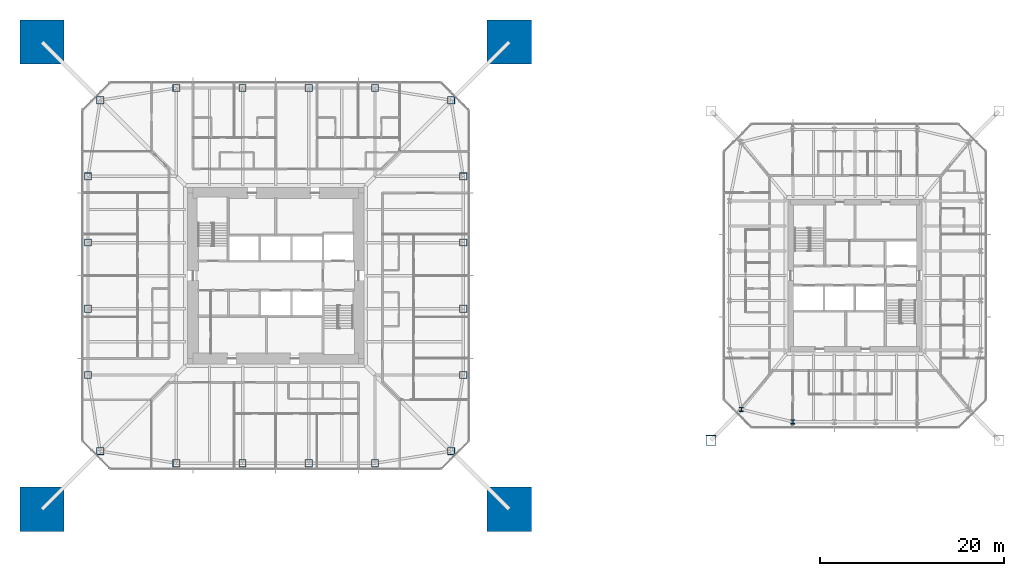
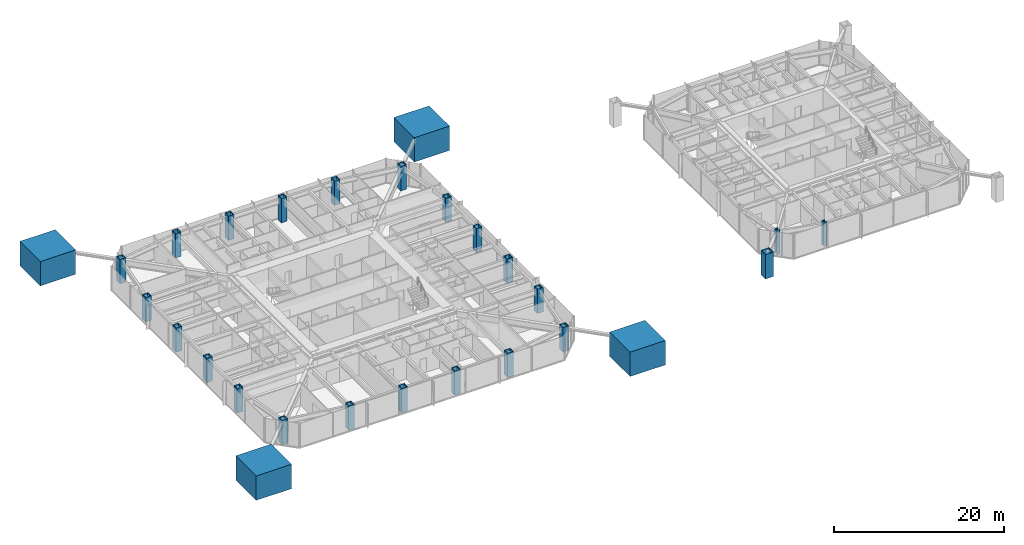
# One storey, part 1 of 25: 27 columns.
"""IFC4 building model written with IfcOpenShell, lengths in metres."""

from ifc_helpers import new_model, si_unit, direction, frame, origin, origin_2d, place, context, subcontext, project, spatial, rectangle, hollow_rectangle, i_section, extrude, material, material_profile, profile_set, type_object, element, save


model = new_model("IFC4")

# Units and contexts
model_context = context("Model", 3, precision=1e-05, world=origin(), true_north=direction((0.0, 1.0)))
body_context = subcontext(model_context, "Body", "Model", "MODEL_VIEW")
ifc_project = project(units=[si_unit("LENGTHUNIT", "METRE"), si_unit("AREAUNIT", "SQUARE_METRE"), si_unit("VOLUMEUNIT", "CUBIC_METRE"), si_unit("PLANEANGLEUNIT", "RADIAN"), si_unit("MASSUNIT", "GRAM", prefix="KILO")], contexts=[model_context])

# Site, building, storey
site_placement = place(None, origin())
site = spatial("IfcSite", under=ifc_project, at=site_placement, CompositionType="ELEMENT")
building_placement = place(site_placement, origin())
building = spatial("IfcBuilding", under=site, at=building_placement, Name="Iwan Alto Co-Living Towers", CompositionType="ELEMENT")
storey_placement = place(building_placement, frame((0.0, 0.0, 105.0)))
storey = spatial("IfcBuildingStorey", under=building, at=storey_placement, Name="L28", CompositionType="ELEMENT", Elevation=105.0)

# Columns
ifc_material_1 = material(Name="Concrete f'c 70 MPa", Category="concrete")
ifc_material_profile_1 = material_profile(ifc_material_1, rectangle(XDim=4.800048828125, YDim=4.800048828125, at=origin_2d()), Name="RC 4800X4800")
ifc_profile_set_1 = profile_set([ifc_material_profile_1], Name="Concrete f'c 70 MPa")
column_type_1 = type_object("IfcColumnType", Name="T1 MEGA COLUMN RC 4800X4800", PredefinedType="COLUMN", material=ifc_profile_set_1)
for number, where, z_axis, x_axis, name in (
    (1, (-25.39990234375, -25.39990234375, 0.0), (0.0, 0.0, 1.0), (1.0, 0.0, 0.0), "T1 mega column SW L28"),
    (2, (25.39990234375, -25.39990234375, 0.0), (0.0, 0.0, 1.0), (1.0, 0.0, 0.0), "T1 mega column SE L28"),
    (3, (25.39990234375, 25.39990234375, 0.0), (0.0, 0.0, 1.0), (1.0, 0.0, 0.0), "T1 mega column NE L28"),
    (4, (-25.39990234375, 25.39990234375, 0.0), (0.0, 0.0, 1.0), (1.0, 0.0, 0.0), "T1 mega column NW L28"),
):
    element("IfcColumn", number, at=place(storey_placement, frame(where, z_axis=z_axis, x_axis=x_axis)), inside=storey, type_object=column_type_1, Name=name, PredefinedType="COLUMN", context=body_context, shape_type="SweptSolid", body=[
        extrude(rectangle(XDim=4.800048828125, YDim=4.800048828125, at=origin_2d()), origin(), (0.0, 0.0, 1.0), 3.5),
        extrude(i_section(OverallWidth=0.4775390625, OverallDepth=0.599365234375, WebThickness=0.10009765625, FlangeThickness=0.139892578125, at=origin_2d()), origin(), (0.0, 0.0, 1.0), 3.5),
    ])
ifc_material_2 = material(Name="Steel ASTM A572 Gr 50", Category="steel")
ifc_material_profile_2 = material_profile(ifc_material_2, hollow_rectangle(XDim=0.800048828125, YDim=0.800048828125, WallThickness=0.070068359375, at=origin_2d()), Name="BOX 800X800X70")
ifc_profile_set_2 = profile_set([ifc_material_profile_2], Name="Steel ASTM A572 Gr 50")
column_type_2 = type_object("IfcColumnType", Name="T1 RING COLUMN BOX 800X800X70", PredefinedType="COLUMN", material=ifc_profile_set_2)
for number, where, z_axis, x_axis, name in (
    (5, (-19.07568359375, -19.07568359375, 0.0), (0.0, 0.0, 1.0), (1.0, 0.0, 0.0), "T1 ring column CSW L28"),
    (6, (-10.800048828125, -20.39990234375, 0.0), (0.0, 0.0, 1.0), (1.0, 0.0, 0.0), "T1 ring column S1 L28"),
    (7, (-3.60009765625, -20.39990234375, 0.0), (0.0, 0.0, 1.0), (1.0, 0.0, 0.0), "T1 ring column S2 L28"),
    (8, (3.60009765625, -20.39990234375, 0.0), (0.0, 0.0, 1.0), (1.0, 0.0, 0.0), "T1 ring column S3 L28"),
    (9, (10.800048828125, -20.39990234375, 0.0), (0.0, 0.0, 1.0), (1.0, 0.0, 0.0), "T1 ring column S4 L28"),
    (10, (19.07568359375, -19.07568359375, 0.0), (0.0, 0.0, 1.0), (1.0, 0.0, 0.0), "T1 ring column CSE L28"),
    (11, (20.39990234375, -10.800048828125, 0.0), (0.0, 0.0, 1.0), (1.0, 0.0, 0.0), "T1 ring column E1 L28"),
    (12, (20.39990234375, -3.60009765625, 0.0), (0.0, 0.0, 1.0), (1.0, 0.0, 0.0), "T1 ring column E2 L28"),
    (13, (20.39990234375, 3.60009765625, 0.0), (0.0, 0.0, 1.0), (1.0, 0.0, 0.0), "T1 ring column E3 L28"),
    (14, (20.39990234375, 10.800048828125, 0.0), (0.0, 0.0, 1.0), (1.0, 0.0, 0.0), "T1 ring column E4 L28"),
    (15, (19.07568359375, 19.07568359375, 0.0), (0.0, 0.0, 1.0), (1.0, 0.0, 0.0), "T1 ring column CNE L28"),
    (16, (10.800048828125, 20.39990234375, 0.0), (0.0, 0.0, 1.0), (1.0, 0.0, 0.0), "T1 ring column N1 L28"),
    (17, (3.60009765625, 20.39990234375, 0.0), (0.0, 0.0, 1.0), (1.0, 0.0, 0.0), "T1 ring column N2 L28"),
    (18, (-3.60009765625, 20.39990234375, 0.0), (0.0, 0.0, 1.0), (1.0, 0.0, 0.0), "T1 ring column N3 L28"),
    (19, (-10.800048828125, 20.39990234375, 0.0), (0.0, 0.0, 1.0), (1.0, 0.0, 0.0), "T1 ring column N4 L28"),
    (20, (-19.07568359375, 19.07568359375, 0.0), (0.0, 0.0, 1.0), (1.0, 0.0, 0.0), "T1 ring column CNW L28"),
    (21, (-20.39990234375, 10.800048828125, 0.0), (0.0, 0.0, 1.0), (1.0, 0.0, 0.0), "T1 ring column W1 L28"),
    (22, (-20.39990234375, 3.60009765625, 0.0), (0.0, 0.0, 1.0), (1.0, 0.0, 0.0), "T1 ring column W2 L28"),
    (23, (-20.39990234375, -3.60009765625, 0.0), (0.0, 0.0, 1.0), (1.0, 0.0, 0.0), "T1 ring column W3 L28"),
    (24, (-20.39990234375, -10.800048828125, 0.0), (0.0, 0.0, 1.0), (1.0, 0.0, 0.0), "T1 ring column W4 L28"),
):
    element("IfcColumn", number, at=place(storey_placement, frame(where, z_axis=z_axis, x_axis=x_axis)), inside=storey, type_object=column_type_2, Name=name, PredefinedType="COLUMN", context=body_context, shape_type="SweptSolid", body=[
        extrude(hollow_rectangle(XDim=0.800048828125, YDim=0.800048828125, WallThickness=0.070068359375, at=origin_2d()), origin(), (0.0, 0.0, 1.0), 3.5),
    ])
ifc_material_3 = material(Name="Steel ASTM A572 Gr 50", Category="steel")
ifc_material_profile_3 = material_profile(ifc_material_3, hollow_rectangle(XDim=1.10009765625, YDim=1.10009765625, WallThickness=0.06005859375, at=origin_2d()), Name="BOX 1100X1100X60")
ifc_profile_set_3 = profile_set([ifc_material_profile_3], Name="Steel ASTM A572 Gr 50")
column_type_3 = type_object("IfcColumnType", Name="T2 MEGA COLUMN BOX 1100X1100X60", PredefinedType="COLUMN", material=ifc_profile_set_3)
column_placement = place(storey_placement, frame((47.35009765625, -17.89990234375, 0.0), z_axis=(0.0, 0.0, 1.0), x_axis=(1.0, 0.0, 0.0)))
element("IfcColumn", 25, at=column_placement, inside=storey, type_object=column_type_3, Name="T2 mega column SW L28", PredefinedType="COLUMN", context=body_context, shape_type="SweptSolid", body=[
    extrude(hollow_rectangle(XDim=1.10009765625, YDim=1.10009765625, WallThickness=0.06005859375, at=origin_2d()), origin(), (0.0, 0.0, 1.0), 3.5),
])
ifc_material_4 = material(Name="Steel ASTM A992 Gr 50", Category="steel")
ifc_material_profile_4 = material_profile(ifc_material_4, i_section(OverallWidth=0.4267578125, OverallDepth=0.482666015625, WebThickness=0.05126953125, FlangeThickness=0.08154296875, at=origin_2d()), Name="W14X455")
ifc_profile_set_4 = profile_set([ifc_material_profile_4], Name="Steel ASTM A992 Gr 50")
column_type_4 = type_object("IfcColumnType", Name="T2 RING COLUMN W14X455", PredefinedType="COLUMN", material=ifc_profile_set_4)
for number, where, z_axis, x_axis, name in (
    (26, (50.638671875, -14.542724609375, 0.0), (0.0, 0.0, 1.0), (1.0, 0.0, 0.0), "T2 ring column CSW L28"),
    (27, (56.25, -15.89990234375, 0.0), (0.0, 0.0, 1.0), (1.0, 0.0, 0.0), "T2 ring column S1 L28"),
):
    element("IfcColumn", number, at=place(storey_placement, frame(where, z_axis=z_axis, x_axis=x_axis)), inside=storey, type_object=column_type_4, Name=name, PredefinedType="COLUMN", context=body_context, shape_type="SweptSolid", body=[
        extrude(i_section(OverallWidth=0.4267578125, OverallDepth=0.482666015625, WebThickness=0.05126953125, FlangeThickness=0.08154296875, at=origin_2d()), origin(), (0.0, 0.0, 1.0), 3.5),
    ])

save(model, "model.ifc")
